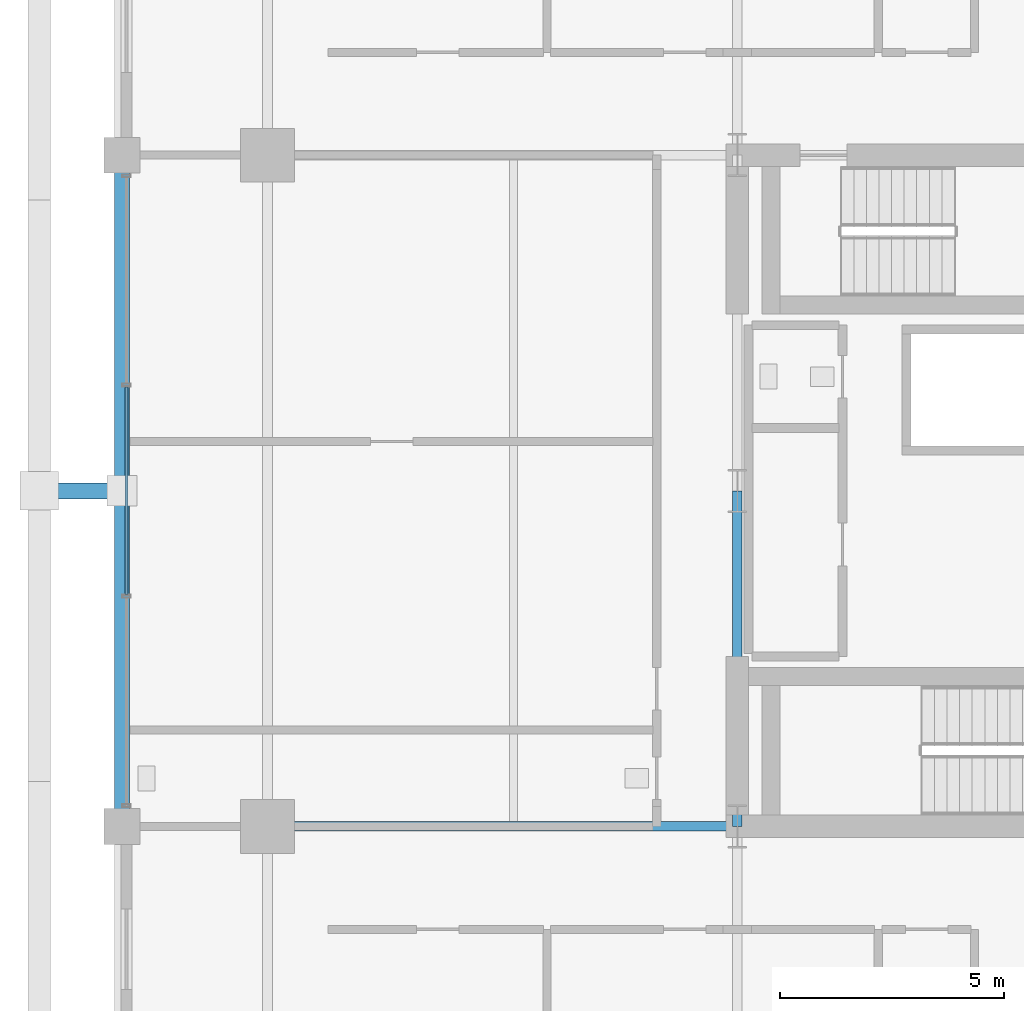
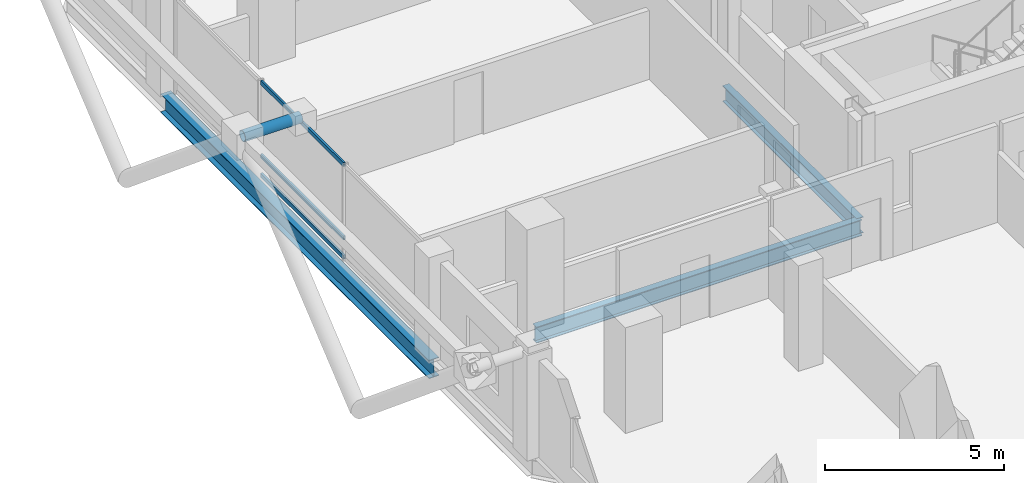
# One storey, part 6 of 25: 4 members, 3 beams, 1 element without a shape of its own.
"""IFC4 building model written with IfcOpenShell, lengths in metres."""

from ifc_helpers import new_model, si_unit, direction, frame, origin, origin_2d, place, context, subcontext, project, spatial, hollow_rectangle, hollow_circle, i_section, extrude, material, layer, layer_set, material_profile, profile_set, type_object, element, aggregate, save


model = new_model("IFC4")

# Units and contexts
model_context = context("Model", 3, precision=1e-05, world=origin(), true_north=direction((0.0, 1.0)))
body_context = subcontext(model_context, "Body", "Model", "MODEL_VIEW")
ifc_project = project(units=[si_unit("LENGTHUNIT", "METRE"), si_unit("AREAUNIT", "SQUARE_METRE"), si_unit("VOLUMEUNIT", "CUBIC_METRE"), si_unit("PLANEANGLEUNIT", "RADIAN"), si_unit("MASSUNIT", "GRAM", prefix="KILO")], contexts=[model_context])

# Site, building, storey
site_placement = place(None, origin())
site = spatial("IfcSite", under=ifc_project, at=site_placement, CompositionType="ELEMENT")
building_placement = place(site_placement, origin())
building = spatial("IfcBuilding", under=site, at=building_placement, Name="Barlavira Tower and Art Museum", CompositionType="ELEMENT")
storey_placement = place(building_placement, frame((0.0, 0.0, 162.0)))
storey = spatial("IfcBuildingStorey", under=building, at=storey_placement, Name="L41", CompositionType="ELEMENT", Elevation=162.0)

# Curtain wall, members
ifc_material_1 = material(Name="Low-iron coastal laminated glass", Category="glass")
ifc_layer = layer(ifc_material_1, 0.18994140625, Name="Low-iron coastal laminated glass")
ifc_layer_set = layer_set([ifc_layer], Name="Low-iron coastal laminated glass")
curtain_wall_type = type_object("IfcCurtainWallType", Name="Pale-Metal Unitised Curtain Wall Zone 2", PredefinedType="NOTDEFINED", material=ifc_layer_set)
curtain_wall_placement = place(storey_placement, origin())
curtain_wall = element("IfcCurtainWall", 1, at=curtain_wall_placement, inside=storey, type_object=curtain_wall_type, Name="L41 Curtain Wall CW2-L41-W-B3", PredefinedType="NOTDEFINED")
ifc_material_2 = material(Name="Pale anodised aluminium", Category="aluminium")
ifc_material_profile_1 = material_profile(ifc_material_2, hollow_rectangle(XDim=0.06494140625, YDim=0.139892578125, WallThickness=0.00390625, at=origin_2d()), Name="ALU-TRAN 65x140x4")
ifc_profile_set_1 = profile_set([ifc_material_profile_1], Name="Pale anodised aluminium")
member_type_1 = type_object("IfcMemberType", Name="Curtain Wall Pale-Metal Transom 65x140", PredefinedType="USERDEFINED", material=ifc_profile_set_1)
member_1_placement = place(storey_placement, frame((-20.14990234375, 2.31494140625, 0.070068359375), z_axis=(0.0, -1.0, 0.0), x_axis=(1.0, 0.0, 0.0)))
member_1 = element("IfcMember", 2, at=member_1_placement, type_object=member_type_1, Name="CW2-L41-W-B3 Transom 1.1", ObjectType="TRANSOM", PredefinedType="USERDEFINED", context=body_context, shape_type="SweptSolid", body=[
    extrude(hollow_rectangle(XDim=0.06494140625, YDim=0.139892578125, WallThickness=0.00390625, at=origin_2d()), origin(), (0.0, 0.0, 1.0), 4.6298828125),
])
member_2_placement = place(storey_placement, frame((-20.14990234375, 2.31494140625, 0.72607421875), z_axis=(0.0, -1.0, 0.0), x_axis=(1.0, 0.0, 0.0)))
member_2 = element("IfcMember", 3, at=member_2_placement, type_object=member_type_1, Name="CW2-L41-W-B3 Transom 1.2", ObjectType="TRANSOM", PredefinedType="USERDEFINED", context=body_context, shape_type="SweptSolid", body=[
    extrude(hollow_rectangle(XDim=0.06494140625, YDim=0.139892578125, WallThickness=0.00390625, at=origin_2d()), origin(), (0.0, 0.0, 1.0), 4.6298828125),
])
member_3_placement = place(storey_placement, frame((-20.14990234375, 2.31494140625, 3.22998046875), z_axis=(0.0, -1.0, 0.0), x_axis=(1.0, 0.0, 0.0)))
member_3 = element("IfcMember", 4, at=member_3_placement, type_object=member_type_1, Name="CW2-L41-W-B3 Transom 1.3", ObjectType="TRANSOM", PredefinedType="USERDEFINED", context=body_context, shape_type="SweptSolid", body=[
    extrude(hollow_rectangle(XDim=0.06494140625, YDim=0.139892578125, WallThickness=0.00390625, at=origin_2d()), origin(), (0.0, 0.0, 1.0), 4.6298828125),
])
aggregate(curtain_wall, [member_1, member_2, member_3])

# Member
ifc_material_3 = material(Name="Steel S355", Category="steel")
ifc_material_profile_2 = material_profile(ifc_material_3, hollow_circle(Radius=0.177734375, WallThickness=0.01611328125, at=origin_2d()), Name="CHS 355.6x16.0")
ifc_profile_set_2 = profile_set([ifc_material_profile_2], Name="Steel S355")
member_type_2 = type_object("IfcMemberType", Name="Pale-Metal Exoskeleton Tie Strut CHS 356x16 Steel S355", PredefinedType="STRUT", material=ifc_profile_set_2)
member_4_placement = place(storey_placement, frame((-22.10009765625, 0.0, 3.47998046875), z_axis=(1.0, 0.0, 0.0), x_axis=(0.0, 1.0, 0.0)))
element("IfcMember", 5, at=member_4_placement, inside=storey, type_object=member_type_2, Name="L41 Exoskeleton Top Tie Strut W2", PredefinedType="STRUT", context=body_context, shape_type="SweptSolid", body=[
    extrude(hollow_circle(Radius=0.177734375, WallThickness=0.01611328125, at=origin_2d()), origin(), (0.0, 0.0, 1.0), 1.85009765625),
])

# Beams
ifc_material_profile_3 = material_profile(ifc_material_3, i_section(OverallWidth=0.327880859375, OverallDepth=0.62890625, WebThickness=0.013916015625, FlangeThickness=0.021484375, at=origin_2d()), Name="W610x174.0")
ifc_profile_set_3 = profile_set([ifc_material_profile_3], Name="Steel S355")
beam_type_1 = type_object("IfcBeamType", Name="Perimeter Spandrel Edge Beam W610x174 Steel S355", PredefinedType="SPANDREL", material=ifc_profile_set_3)
beam_1_placement = place(storey_placement, frame((-20.25, -7.5, -0.534423828125), z_axis=(0.0, 1.0, 0.0), x_axis=(-1.0, 0.0, 0.0)))
element("IfcBeam", 6, at=beam_1_placement, inside=storey, type_object=beam_type_1, Name="L41 Spandrel 14", PredefinedType="SPANDREL", context=body_context, shape_type="SweptSolid", body=[
    extrude(i_section(OverallWidth=0.327880859375, OverallDepth=0.62890625, WebThickness=0.013916015625, FlangeThickness=0.021484375, at=origin_2d()), origin(), (0.0, 0.0, 1.0), 15.0),
])
ifc_material_profile_4 = material_profile(ifc_material_3, i_section(OverallWidth=0.214111328125, OverallDepth=0.549072265625, WebThickness=0.0146484375, FlangeThickness=0.023681640625, at=origin_2d()), Name="W530x138.0")
ifc_profile_set_4 = profile_set([ifc_material_profile_4], Name="Steel S355")
beam_type_2 = type_object("IfcBeamType", Name="Zone 1 Primary Floor Girder W530x138 Steel S355", PredefinedType="BEAM", material=ifc_profile_set_4)
beam_2_placement = place(storey_placement, frame((-6.5, -7.5, -0.494384765625), z_axis=(0.0, 1.0, 0.0), x_axis=(-1.0, 0.0, 0.0)))
element("IfcBeam", 7, at=beam_2_placement, inside=storey, type_object=beam_type_2, Name="L41 Girder C-W1", PredefinedType="BEAM", context=body_context, shape_type="SweptSolid", body=[
    extrude(i_section(OverallWidth=0.214111328125, OverallDepth=0.549072265625, WebThickness=0.0146484375, FlangeThickness=0.023681640625, at=origin_2d()), origin(), (0.0, 0.0, 1.0), 7.5),
])
beam_3_placement = place(storey_placement, frame((-17.0, -7.5, -0.494384765625), z_axis=(1.0, 0.0, 0.0), x_axis=(0.0, 1.0, 0.0)))
element("IfcBeam", 8, at=beam_3_placement, inside=storey, type_object=beam_type_2, Name="L41 Girder R-W1", PredefinedType="BEAM", context=body_context, shape_type="SweptSolid", body=[
    extrude(i_section(OverallWidth=0.214111328125, OverallDepth=0.549072265625, WebThickness=0.0146484375, FlangeThickness=0.023681640625, at=origin_2d()), origin(), (0.0, 0.0, 1.0), 10.5),
])

save(model, "model.ifc")
